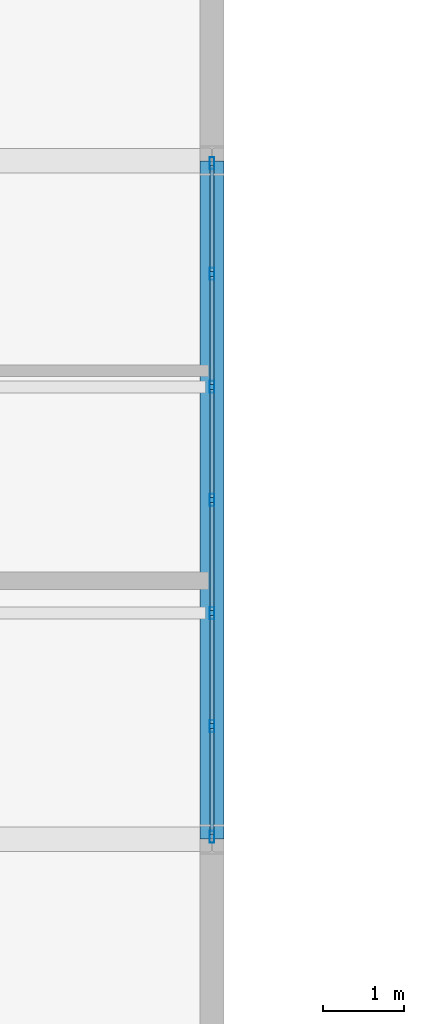
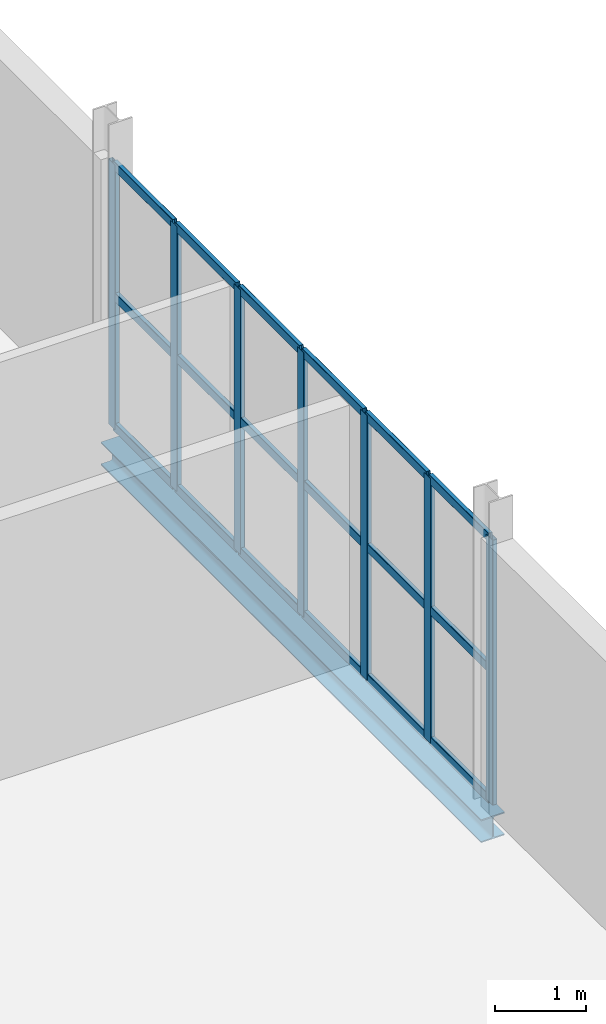
# One storey, part 49 of 163: 25 members, 1 beam, 1 element without a shape of its own.
"""IFC4 building model written with IfcOpenShell, lengths in metres."""

from ifc_helpers import new_model, si_unit, direction, frame, origin, origin_2d, place, context, subcontext, project, spatial, hollow_rectangle, i_section, extrude, material, layer, layer_set, material_profile, profile_set, type_object, element, aggregate, save


model = new_model("IFC4")

# Units and contexts
model_context = context("Model", 3, precision=1e-05, world=origin(), true_north=direction((0.0, 1.0)))
body_context = subcontext(model_context, "Body", "Model", "MODEL_VIEW")
ifc_project = project(units=[si_unit("LENGTHUNIT", "METRE"), si_unit("AREAUNIT", "SQUARE_METRE"), si_unit("VOLUMEUNIT", "CUBIC_METRE"), si_unit("PLANEANGLEUNIT", "RADIAN"), si_unit("MASSUNIT", "GRAM", prefix="KILO")], contexts=[model_context])

# Site, building, storey
site_placement = place(None, origin())
site = spatial("IfcSite", under=ifc_project, at=site_placement, CompositionType="ELEMENT")
building_placement = place(site_placement, origin())
building = spatial("IfcBuilding", under=site, at=building_placement, Name="Qalvenar Corner Mobility Hub", CompositionType="ELEMENT")
storey_placement = place(building_placement, frame((0.0, 0.0, 4.800048828125)))
storey = spatial("IfcBuildingStorey", under=building, at=storey_placement, Name="L01", CompositionType="ELEMENT", Elevation=4.800048828125)

# Beam
ifc_material_1 = material(Name="Steel S355", Category="steel")
ifc_material_profile_1 = material_profile(ifc_material_1, i_section(OverallWidth=0.300048828125, OverallDepth=0.31005859375, WebThickness=0.009033203125, FlangeThickness=0.015380859375, FilletRadius=0.027099609375, at=origin_2d()), Name="HEA320")
ifc_profile_set_1 = profile_set([ifc_material_profile_1], Name="Steel S355")
beam_type = type_object("IfcBeamType", Name="BM-SPN320", PredefinedType="SPANDREL", material=ifc_profile_set_1)
beam_placement = place(storey_placement, frame((33.60009765625, 50.39990234375, -0.3349609375), z_axis=(0.0, 1.0, 0.0), x_axis=(-1.0, 0.0, 0.0)))
element("IfcBeam", 1, at=beam_placement, inside=storey, type_object=beam_type, Name="Primary Steel Girder GY-1205", PredefinedType="SPANDREL", context=body_context, shape_type="SweptSolid", body=[
    extrude(i_section(OverallWidth=0.300048828125, OverallDepth=0.31005859375, WebThickness=0.009033203125, FlangeThickness=0.015380859375, FilletRadius=0.027099609375, at=origin_2d()), origin(), (0.0, 0.0, 1.0), 8.400146484375),
])

# Curtain wall, members
ifc_material_2 = material(Name="Anodised Aluminium and Low-E Glazing", Category="aluminium")
ifc_layer = layer(ifc_material_2, 0.14990234375)
ifc_layer_set = layer_set([ifc_layer], Name="Anodised Aluminium and Low-E Glazing")
curtain_wall_type = type_object("IfcCurtainWallType", Name="CW-CYC-84X39", PredefinedType="NOTDEFINED", material=ifc_layer_set)
curtain_wall_placement = place(storey_placement, origin())
curtain_wall = element("IfcCurtainWall", 2, at=curtain_wall_placement, inside=storey, type_object=curtain_wall_type, Name="Glazed Curtain Wall CW-V5-L01-E1", PredefinedType="NOTDEFINED")
ifc_material_3 = material(Name="Anodised Aluminium 6063-T6", Category="aluminium")
ifc_material_profile_2 = material_profile(ifc_material_3, hollow_rectangle(XDim=0.06005859375, YDim=0.14990234375, WallThickness=0.00390625, InnerFilletRadius=0.00390625, OuterFilletRadius=0.008056640625, at=origin_2d()), Name="RHS150x60x4")
ifc_profile_set_2 = profile_set([ifc_material_profile_2], Name="Anodised Aluminium 6063-T6")
member_type_1 = type_object("IfcMemberType", Name="CW-MUL150", PredefinedType="MULLION", material=ifc_profile_set_2)
member_1_placement = place(storey_placement, frame((33.60009765625, 50.429931640625, 0.0), z_axis=(0.0, 0.0, 1.0), x_axis=(-1.0, 0.0, 0.0)))
member_1 = element("IfcMember", 3, at=member_1_placement, type_object=member_type_1, Name="CW-08 mullion 1", PredefinedType="MULLION", context=body_context, shape_type="SweptSolid", body=[
    extrude(hollow_rectangle(XDim=0.06005859375, YDim=0.14990234375, WallThickness=0.00390625, InnerFilletRadius=0.00390625, OuterFilletRadius=0.008056640625, at=origin_2d()), origin(), (0.0, 0.0, 1.0), 3.570068359375),
])
member_2_placement = place(storey_placement, frame((33.60009765625, 51.800048828125, 0.0), z_axis=(0.0, 0.0, 1.0), x_axis=(-1.0, 0.0, 0.0)))
member_2 = element("IfcMember", 4, at=member_2_placement, type_object=member_type_1, Name="CW-08 mullion 2", PredefinedType="MULLION", context=body_context, shape_type="SweptSolid", body=[
    extrude(hollow_rectangle(XDim=0.06005859375, YDim=0.14990234375, WallThickness=0.00390625, InnerFilletRadius=0.00390625, OuterFilletRadius=0.008056640625, at=origin_2d()), origin(), (0.0, 0.0, 1.0), 3.570068359375),
])
member_3_placement = place(storey_placement, frame((33.60009765625, 53.199951171875, 0.0), z_axis=(0.0, 0.0, 1.0), x_axis=(-1.0, 0.0, 0.0)))
member_3 = element("IfcMember", 5, at=member_3_placement, type_object=member_type_1, Name="CW-08 mullion 3", PredefinedType="MULLION", context=body_context, shape_type="SweptSolid", body=[
    extrude(hollow_rectangle(XDim=0.06005859375, YDim=0.14990234375, WallThickness=0.00390625, InnerFilletRadius=0.00390625, OuterFilletRadius=0.008056640625, at=origin_2d()), origin(), (0.0, 0.0, 1.0), 3.570068359375),
])
member_4_placement = place(storey_placement, frame((33.60009765625, 54.60009765625, 0.0), z_axis=(0.0, 0.0, 1.0), x_axis=(-1.0, 0.0, 0.0)))
member_4 = element("IfcMember", 6, at=member_4_placement, type_object=member_type_1, Name="CW-08 mullion 4", PredefinedType="MULLION", context=body_context, shape_type="SweptSolid", body=[
    extrude(hollow_rectangle(XDim=0.06005859375, YDim=0.14990234375, WallThickness=0.00390625, InnerFilletRadius=0.00390625, OuterFilletRadius=0.008056640625, at=origin_2d()), origin(), (0.0, 0.0, 1.0), 3.570068359375),
])
member_5_placement = place(storey_placement, frame((33.60009765625, 56.0, 0.0), z_axis=(0.0, 0.0, 1.0), x_axis=(-1.0, 0.0, 0.0)))
member_5 = element("IfcMember", 7, at=member_5_placement, type_object=member_type_1, Name="CW-08 mullion 5", PredefinedType="MULLION", context=body_context, shape_type="SweptSolid", body=[
    extrude(hollow_rectangle(XDim=0.06005859375, YDim=0.14990234375, WallThickness=0.00390625, InnerFilletRadius=0.00390625, OuterFilletRadius=0.008056640625, at=origin_2d()), origin(), (0.0, 0.0, 1.0), 3.570068359375),
])
member_6_placement = place(storey_placement, frame((33.60009765625, 57.39990234375, 0.0), z_axis=(0.0, 0.0, 1.0), x_axis=(-1.0, 0.0, 0.0)))
member_6 = element("IfcMember", 8, at=member_6_placement, type_object=member_type_1, Name="CW-08 mullion 6", PredefinedType="MULLION", context=body_context, shape_type="SweptSolid", body=[
    extrude(hollow_rectangle(XDim=0.06005859375, YDim=0.14990234375, WallThickness=0.00390625, InnerFilletRadius=0.00390625, OuterFilletRadius=0.008056640625, at=origin_2d()), origin(), (0.0, 0.0, 1.0), 3.570068359375),
])
member_7_placement = place(storey_placement, frame((33.60009765625, 58.77001953125, 0.0), z_axis=(0.0, 0.0, 1.0), x_axis=(-1.0, 0.0, 0.0)))
member_7 = element("IfcMember", 9, at=member_7_placement, type_object=member_type_1, Name="CW-08 mullion 7", PredefinedType="MULLION", context=body_context, shape_type="SweptSolid", body=[
    extrude(hollow_rectangle(XDim=0.06005859375, YDim=0.14990234375, WallThickness=0.00390625, InnerFilletRadius=0.00390625, OuterFilletRadius=0.008056640625, at=origin_2d()), origin(), (0.0, 0.0, 1.0), 3.570068359375),
])
ifc_material_profile_3 = material_profile(ifc_material_3, hollow_rectangle(XDim=0.054931640625, YDim=0.1201171875, WallThickness=0.00341796875, InnerFilletRadius=0.00341796875, OuterFilletRadius=0.007080078125, at=origin_2d()), Name="RHS120x55x3.5")
ifc_profile_set_3 = profile_set([ifc_material_profile_3], Name="Anodised Aluminium 6063-T6")
member_type_2 = type_object("IfcMemberType", Name="CW-TRN120", PredefinedType="USERDEFINED", material=ifc_profile_set_3)
member_8_placement = place(storey_placement, frame((33.60009765625, 50.4599609375, 0.02734375), z_axis=(0.0, 1.0, 0.0), x_axis=(-1.0, 0.0, 0.0)))
member_8 = element("IfcMember", 10, at=member_8_placement, type_object=member_type_2, Name="CW-08 transom 1.1", ObjectType="TRANSOM", PredefinedType="USERDEFINED", context=body_context, shape_type="SweptSolid", body=[
    extrude(hollow_rectangle(XDim=0.054931640625, YDim=0.1201171875, WallThickness=0.00341796875, InnerFilletRadius=0.00341796875, OuterFilletRadius=0.007080078125, at=origin_2d()), origin(), (0.0, 0.0, 1.0), 1.31005859375),
])
member_9_placement = place(storey_placement, frame((33.60009765625, 50.4599609375, 1.784912109375), z_axis=(0.0, 1.0, 0.0), x_axis=(-1.0, 0.0, 0.0)))
member_9 = element("IfcMember", 11, at=member_9_placement, type_object=member_type_2, Name="CW-08 transom 1.2", ObjectType="TRANSOM", PredefinedType="USERDEFINED", context=body_context, shape_type="SweptSolid", body=[
    extrude(hollow_rectangle(XDim=0.054931640625, YDim=0.1201171875, WallThickness=0.00341796875, InnerFilletRadius=0.00341796875, OuterFilletRadius=0.007080078125, at=origin_2d()), origin(), (0.0, 0.0, 1.0), 1.31005859375),
])
member_10_placement = place(storey_placement, frame((33.60009765625, 50.4599609375, 3.54248046875), z_axis=(0.0, 1.0, 0.0), x_axis=(-1.0, 0.0, 0.0)))
member_10 = element("IfcMember", 12, at=member_10_placement, type_object=member_type_2, Name="CW-08 transom 1.3", ObjectType="TRANSOM", PredefinedType="USERDEFINED", context=body_context, shape_type="SweptSolid", body=[
    extrude(hollow_rectangle(XDim=0.054931640625, YDim=0.1201171875, WallThickness=0.00341796875, InnerFilletRadius=0.00341796875, OuterFilletRadius=0.007080078125, at=origin_2d()), origin(), (0.0, 0.0, 1.0), 1.31005859375),
])
member_11_placement = place(storey_placement, frame((33.60009765625, 51.830078125, 0.02734375), z_axis=(0.0, 1.0, 0.0), x_axis=(-1.0, 0.0, 0.0)))
member_11 = element("IfcMember", 13, at=member_11_placement, type_object=member_type_2, Name="CW-08 transom 2.1", ObjectType="TRANSOM", PredefinedType="USERDEFINED", context=body_context, shape_type="SweptSolid", body=[
    extrude(hollow_rectangle(XDim=0.054931640625, YDim=0.1201171875, WallThickness=0.00341796875, InnerFilletRadius=0.00341796875, OuterFilletRadius=0.007080078125, at=origin_2d()), origin(), (0.0, 0.0, 1.0), 1.33984375),
])
member_12_placement = place(storey_placement, frame((33.60009765625, 51.830078125, 1.784912109375), z_axis=(0.0, 1.0, 0.0), x_axis=(-1.0, 0.0, 0.0)))
member_12 = element("IfcMember", 14, at=member_12_placement, type_object=member_type_2, Name="CW-08 transom 2.2", ObjectType="TRANSOM", PredefinedType="USERDEFINED", context=body_context, shape_type="SweptSolid", body=[
    extrude(hollow_rectangle(XDim=0.054931640625, YDim=0.1201171875, WallThickness=0.00341796875, InnerFilletRadius=0.00341796875, OuterFilletRadius=0.007080078125, at=origin_2d()), origin(), (0.0, 0.0, 1.0), 1.33984375),
])
member_13_placement = place(storey_placement, frame((33.60009765625, 51.830078125, 3.54248046875), z_axis=(0.0, 1.0, 0.0), x_axis=(-1.0, 0.0, 0.0)))
member_13 = element("IfcMember", 15, at=member_13_placement, type_object=member_type_2, Name="CW-08 transom 2.3", ObjectType="TRANSOM", PredefinedType="USERDEFINED", context=body_context, shape_type="SweptSolid", body=[
    extrude(hollow_rectangle(XDim=0.054931640625, YDim=0.1201171875, WallThickness=0.00341796875, InnerFilletRadius=0.00341796875, OuterFilletRadius=0.007080078125, at=origin_2d()), origin(), (0.0, 0.0, 1.0), 1.33984375),
])
member_14_placement = place(storey_placement, frame((33.60009765625, 53.22998046875, 0.02734375), z_axis=(0.0, 1.0, 0.0), x_axis=(-1.0, 0.0, 0.0)))
member_14 = element("IfcMember", 16, at=member_14_placement, type_object=member_type_2, Name="CW-08 transom 3.1", ObjectType="TRANSOM", PredefinedType="USERDEFINED", context=body_context, shape_type="SweptSolid", body=[
    extrude(hollow_rectangle(XDim=0.054931640625, YDim=0.1201171875, WallThickness=0.00341796875, InnerFilletRadius=0.00341796875, OuterFilletRadius=0.007080078125, at=origin_2d()), origin(), (0.0, 0.0, 1.0), 1.340087890625),
])
member_15_placement = place(storey_placement, frame((33.60009765625, 53.22998046875, 1.784912109375), z_axis=(0.0, 1.0, 0.0), x_axis=(-1.0, 0.0, 0.0)))
member_15 = element("IfcMember", 17, at=member_15_placement, type_object=member_type_2, Name="CW-08 transom 3.2", ObjectType="TRANSOM", PredefinedType="USERDEFINED", context=body_context, shape_type="SweptSolid", body=[
    extrude(hollow_rectangle(XDim=0.054931640625, YDim=0.1201171875, WallThickness=0.00341796875, InnerFilletRadius=0.00341796875, OuterFilletRadius=0.007080078125, at=origin_2d()), origin(), (0.0, 0.0, 1.0), 1.340087890625),
])
member_16_placement = place(storey_placement, frame((33.60009765625, 53.22998046875, 3.54248046875), z_axis=(0.0, 1.0, 0.0), x_axis=(-1.0, 0.0, 0.0)))
member_16 = element("IfcMember", 18, at=member_16_placement, type_object=member_type_2, Name="CW-08 transom 3.3", ObjectType="TRANSOM", PredefinedType="USERDEFINED", context=body_context, shape_type="SweptSolid", body=[
    extrude(hollow_rectangle(XDim=0.054931640625, YDim=0.1201171875, WallThickness=0.00341796875, InnerFilletRadius=0.00341796875, OuterFilletRadius=0.007080078125, at=origin_2d()), origin(), (0.0, 0.0, 1.0), 1.340087890625),
])
member_17_placement = place(storey_placement, frame((33.60009765625, 54.6298828125, 0.02734375), z_axis=(0.0, 1.0, 0.0), x_axis=(-1.0, 0.0, 0.0)))
member_17 = element("IfcMember", 19, at=member_17_placement, type_object=member_type_2, Name="CW-08 transom 4.1", ObjectType="TRANSOM", PredefinedType="USERDEFINED", context=body_context, shape_type="SweptSolid", body=[
    extrude(hollow_rectangle(XDim=0.054931640625, YDim=0.1201171875, WallThickness=0.00341796875, InnerFilletRadius=0.00341796875, OuterFilletRadius=0.007080078125, at=origin_2d()), origin(), (0.0, 0.0, 1.0), 1.340087890625),
])
member_18_placement = place(storey_placement, frame((33.60009765625, 54.6298828125, 1.784912109375), z_axis=(0.0, 1.0, 0.0), x_axis=(-1.0, 0.0, 0.0)))
member_18 = element("IfcMember", 20, at=member_18_placement, type_object=member_type_2, Name="CW-08 transom 4.2", ObjectType="TRANSOM", PredefinedType="USERDEFINED", context=body_context, shape_type="SweptSolid", body=[
    extrude(hollow_rectangle(XDim=0.054931640625, YDim=0.1201171875, WallThickness=0.00341796875, InnerFilletRadius=0.00341796875, OuterFilletRadius=0.007080078125, at=origin_2d()), origin(), (0.0, 0.0, 1.0), 1.340087890625),
])
member_19_placement = place(storey_placement, frame((33.60009765625, 54.6298828125, 3.54248046875), z_axis=(0.0, 1.0, 0.0), x_axis=(-1.0, 0.0, 0.0)))
member_19 = element("IfcMember", 21, at=member_19_placement, type_object=member_type_2, Name="CW-08 transom 4.3", ObjectType="TRANSOM", PredefinedType="USERDEFINED", context=body_context, shape_type="SweptSolid", body=[
    extrude(hollow_rectangle(XDim=0.054931640625, YDim=0.1201171875, WallThickness=0.00341796875, InnerFilletRadius=0.00341796875, OuterFilletRadius=0.007080078125, at=origin_2d()), origin(), (0.0, 0.0, 1.0), 1.340087890625),
])
member_20_placement = place(storey_placement, frame((33.60009765625, 56.030029296875, 0.02734375), z_axis=(0.0, 1.0, 0.0), x_axis=(-1.0, 0.0, 0.0)))
member_20 = element("IfcMember", 22, at=member_20_placement, type_object=member_type_2, Name="CW-08 transom 5.1", ObjectType="TRANSOM", PredefinedType="USERDEFINED", context=body_context, shape_type="SweptSolid", body=[
    extrude(hollow_rectangle(XDim=0.054931640625, YDim=0.1201171875, WallThickness=0.00341796875, InnerFilletRadius=0.00341796875, OuterFilletRadius=0.007080078125, at=origin_2d()), origin(), (0.0, 0.0, 1.0), 1.340087890625),
])
member_21_placement = place(storey_placement, frame((33.60009765625, 56.030029296875, 1.784912109375), z_axis=(0.0, 1.0, 0.0), x_axis=(-1.0, 0.0, 0.0)))
member_21 = element("IfcMember", 23, at=member_21_placement, type_object=member_type_2, Name="CW-08 transom 5.2", ObjectType="TRANSOM", PredefinedType="USERDEFINED", context=body_context, shape_type="SweptSolid", body=[
    extrude(hollow_rectangle(XDim=0.054931640625, YDim=0.1201171875, WallThickness=0.00341796875, InnerFilletRadius=0.00341796875, OuterFilletRadius=0.007080078125, at=origin_2d()), origin(), (0.0, 0.0, 1.0), 1.340087890625),
])
member_22_placement = place(storey_placement, frame((33.60009765625, 56.030029296875, 3.54248046875), z_axis=(0.0, 1.0, 0.0), x_axis=(-1.0, 0.0, 0.0)))
member_22 = element("IfcMember", 24, at=member_22_placement, type_object=member_type_2, Name="CW-08 transom 5.3", ObjectType="TRANSOM", PredefinedType="USERDEFINED", context=body_context, shape_type="SweptSolid", body=[
    extrude(hollow_rectangle(XDim=0.054931640625, YDim=0.1201171875, WallThickness=0.00341796875, InnerFilletRadius=0.00341796875, OuterFilletRadius=0.007080078125, at=origin_2d()), origin(), (0.0, 0.0, 1.0), 1.340087890625),
])
member_23_placement = place(storey_placement, frame((33.60009765625, 57.429931640625, 0.02734375), z_axis=(0.0, 1.0, 0.0), x_axis=(-1.0, 0.0, 0.0)))
member_23 = element("IfcMember", 25, at=member_23_placement, type_object=member_type_2, Name="CW-08 transom 6.1", ObjectType="TRANSOM", PredefinedType="USERDEFINED", context=body_context, shape_type="SweptSolid", body=[
    extrude(hollow_rectangle(XDim=0.054931640625, YDim=0.1201171875, WallThickness=0.00341796875, InnerFilletRadius=0.00341796875, OuterFilletRadius=0.007080078125, at=origin_2d()), origin(), (0.0, 0.0, 1.0), 1.31005859375),
])
member_24_placement = place(storey_placement, frame((33.60009765625, 57.429931640625, 1.784912109375), z_axis=(0.0, 1.0, 0.0), x_axis=(-1.0, 0.0, 0.0)))
member_24 = element("IfcMember", 26, at=member_24_placement, type_object=member_type_2, Name="CW-08 transom 6.2", ObjectType="TRANSOM", PredefinedType="USERDEFINED", context=body_context, shape_type="SweptSolid", body=[
    extrude(hollow_rectangle(XDim=0.054931640625, YDim=0.1201171875, WallThickness=0.00341796875, InnerFilletRadius=0.00341796875, OuterFilletRadius=0.007080078125, at=origin_2d()), origin(), (0.0, 0.0, 1.0), 1.31005859375),
])
member_25_placement = place(storey_placement, frame((33.60009765625, 57.429931640625, 3.54248046875), z_axis=(0.0, 1.0, 0.0), x_axis=(-1.0, 0.0, 0.0)))
member_25 = element("IfcMember", 27, at=member_25_placement, type_object=member_type_2, Name="CW-08 transom 6.3", ObjectType="TRANSOM", PredefinedType="USERDEFINED", context=body_context, shape_type="SweptSolid", body=[
    extrude(hollow_rectangle(XDim=0.054931640625, YDim=0.1201171875, WallThickness=0.00341796875, InnerFilletRadius=0.00341796875, OuterFilletRadius=0.007080078125, at=origin_2d()), origin(), (0.0, 0.0, 1.0), 1.31005859375),
])
aggregate(curtain_wall, [member_1, member_2, member_3, member_4, member_5, member_6, member_7, member_8, member_9, member_10, member_11, member_12, member_13, member_14, member_15, member_16, member_17, member_18, member_19, member_20, member_21, member_22, member_23, member_24, member_25])

save(model, "model.ifc")
